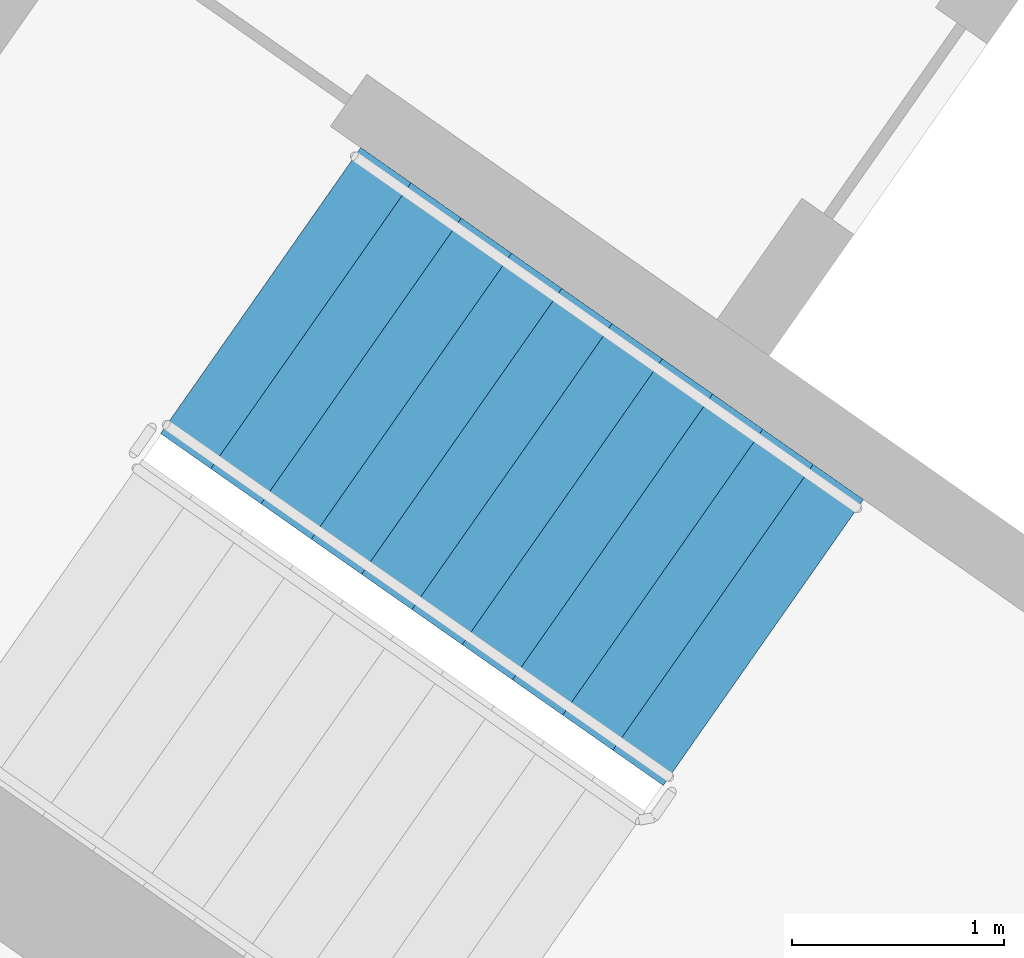
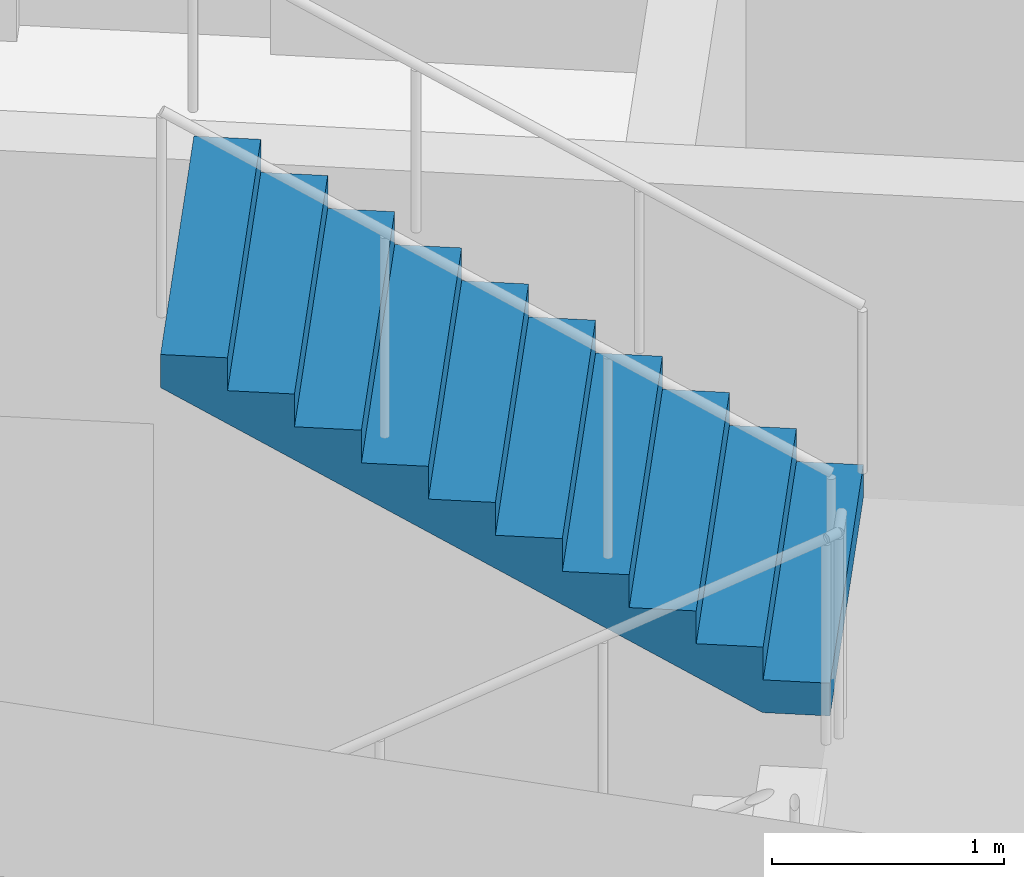
# One storey, part 12 of 26: 1 stair flight, 1 element without a shape of its own.
"""IFC4 building model written with IfcOpenShell, lengths in metres."""

from ifc_helpers import new_model, si_unit, direction, frame, origin, place, context, subcontext, project, spatial, faceted_brep, material, type_object, element, aggregate, save


model = new_model("IFC4")

# Units and contexts
model_context = context("Model", 3, precision=1e-05, world=origin(), true_north=direction((0.0, 1.0)))
body_context = subcontext(model_context, "Body", "Model", "MODEL_VIEW")
ifc_project = project(units=[si_unit("LENGTHUNIT", "METRE"), si_unit("AREAUNIT", "SQUARE_METRE"), si_unit("VOLUMEUNIT", "CUBIC_METRE"), si_unit("PLANEANGLEUNIT", "RADIAN"), si_unit("MASSUNIT", "GRAM", prefix="KILO")], contexts=[model_context])

# Site, building, storey
site_placement = place(None, origin())
site = spatial("IfcSite", under=ifc_project, at=site_placement, CompositionType="ELEMENT")
building_placement = place(site_placement, origin())
building = spatial("IfcBuilding", under=site, at=building_placement, Name="Qamariyya Broadcast Tower", CompositionType="ELEMENT")
storey_placement = place(building_placement, frame((0.0, 0.0, 183.5)))
storey = spatial("IfcBuildingStorey", under=building, at=storey_placement, Name="L43", CompositionType="ELEMENT", Elevation=183.5)

# Stair, stair flight
ifc_material = material(Name="Concrete C50/60", Category="concrete")
stair_type = type_object("IfcStairType", Name="Exit stair 22 risers of 173 mm", PredefinedType="HALF_TURN_STAIR", material=ifc_material)
stair_placement = place(storey_placement, origin())
stair = element("IfcStair", 1, at=stair_placement, inside=storey, type_object=stair_type, Name="L43 Stair W1", PredefinedType="HALF_TURN_STAIR")
stair_flight_type = type_object("IfcStairFlightType", Name="Exit stair flight 11 risers of 173 mm", PredefinedType="STRAIGHT", material=ifc_material)
stair_flight_placement = place(storey_placement, frame((-43.660888671875, -57.17138671875, 1.89990234375), z_axis=(0.0, 0.0, 1.0), x_axis=(-0.819152044289, 0.573576436351, 0.0)))
stair_flight = element("IfcStairFlight", 2, at=stair_flight_placement, type_object=stair_flight_type, Name="ST-W1 flight 2", NumberOfRisers=11, NumberOfTreads=10, PredefinedType="STRAIGHT", RiserHeight=0.172727273, TreadLength=0.29, context=body_context, shape_type="Brep", body=[
    faceted_brep([(0.0, 0.824951171875, 0.0), (0.0, 0.824951171875, 0.172607421875), (0.2900390625, 0.824951171875, 0.172607421875), (0.2900390625, 0.824951171875, 0.345458984375), (0.580078125, 0.824951171875, 0.345458984375), (0.580078125, 0.824951171875, 0.51806640625), (0.8701171875, 0.824951171875, 0.51806640625), (0.8701171875, 0.824951171875, 0.69091796875), (1.159912109375, 0.824951171875, 0.69091796875), (1.159912109375, 0.824951171875, 0.863525390625), (1.449951171875, 0.824951171875, 0.863525390625), (1.449951171875, 0.824951171875, 1.036376953125), (1.739990234375, 0.824951171875, 1.036376953125), (1.739990234375, 0.824951171875, 1.208984375), (2.030029296875, 0.824951171875, 1.208984375), (2.030029296875, 0.824951171875, 1.3818359375), (2.320068359375, 0.824951171875, 1.3818359375), (2.320068359375, 0.824951171875, 1.554443359375), (2.610107421875, 0.824951171875, 1.554443359375), (2.610107421875, 0.824951171875, 1.727294921875), (2.89990234375, 0.824951171875, 1.727294921875), (2.89990234375, 0.824951171875, 1.552734375), (0.29296875, 0.824951171875, 0.0), (0.29296875, -0.824951171875, 0.0), (2.89990234375, -0.824951171875, 1.552734375), (2.89990234375, -0.824951171875, 1.727294921875), (2.610107421875, -0.824951171875, 1.727294921875), (2.610107421875, -0.824951171875, 1.554443359375), (2.320068359375, -0.824951171875, 1.554443359375), (2.320068359375, -0.824951171875, 1.3818359375), (2.030029296875, -0.824951171875, 1.3818359375), (2.030029296875, -0.824951171875, 1.208984375), (1.739990234375, -0.824951171875, 1.208984375), (1.739990234375, -0.824951171875, 1.036376953125), (1.449951171875, -0.824951171875, 1.036376953125), (1.449951171875, -0.824951171875, 0.863525390625), (1.159912109375, -0.824951171875, 0.863525390625), (1.159912109375, -0.824951171875, 0.69091796875), (0.8701171875, -0.824951171875, 0.69091796875), (0.8701171875, -0.824951171875, 0.51806640625), (0.580078125, -0.824951171875, 0.51806640625), (0.580078125, -0.824951171875, 0.345458984375), (0.2900390625, -0.824951171875, 0.345458984375), (0.2900390625, -0.824951171875, 0.172607421875), (0.0, -0.824951171875, 0.172607421875), (0.0, -0.824951171875, 0.0), (0.0, 0.10009765625, 0.0), (0.0, 0.086669921875, 0.0), (0.0, 0.0732421875, 0.0), (0.0, 0.06005859375, 0.0), (0.0, 0.046630859375, 0.0), (0.0, 0.033447265625, 0.0), (0.0, 0.02001953125, 0.0), (0.0, 0.006591796875, 0.0), (0.0, -0.006591796875, 0.0), (0.0, -0.02001953125, 0.0), (0.0, -0.033447265625, 0.0), (0.0, -0.046630859375, 0.0), (0.0, -0.06005859375, 0.0), (0.0, -0.0732421875, 0.0), (0.0, -0.086669921875, 0.0), (0.0, -0.10009765625, 0.0), (0.0, -0.10009765625, 0.172607421875), (0.0, -0.086669921875, 0.172607421875), (0.0, -0.0732421875, 0.172607421875), (0.0, -0.06005859375, 0.172607421875), (0.0, -0.046630859375, 0.172607421875), (0.0, -0.033447265625, 0.172607421875), (0.0, -0.02001953125, 0.172607421875), (0.0, -0.006591796875, 0.172607421875), (0.0, 0.006591796875, 0.172607421875), (0.0, 0.02001953125, 0.172607421875), (0.0, 0.033447265625, 0.172607421875), (0.0, 0.046630859375, 0.172607421875), (0.0, 0.06005859375, 0.172607421875), (0.0, 0.0732421875, 0.172607421875), (0.0, 0.086669921875, 0.172607421875), (0.0, 0.10009765625, 0.172607421875), (0.2900390625, -0.10009765625, 0.172607421875), (0.2900390625, -0.086669921875, 0.172607421875), (0.2900390625, -0.0732421875, 0.172607421875), (0.2900390625, -0.06005859375, 0.172607421875), (0.2900390625, -0.046630859375, 0.172607421875), (0.2900390625, -0.033447265625, 0.172607421875), (0.2900390625, -0.02001953125, 0.172607421875), (0.2900390625, -0.006591796875, 0.172607421875), (0.2900390625, 0.006591796875, 0.172607421875), (0.2900390625, 0.02001953125, 0.172607421875), (0.2900390625, 0.033447265625, 0.172607421875), (0.2900390625, 0.046630859375, 0.172607421875), (0.2900390625, 0.06005859375, 0.172607421875), (0.2900390625, 0.0732421875, 0.172607421875), (0.2900390625, 0.086669921875, 0.172607421875), (0.2900390625, 0.10009765625, 0.172607421875), (0.2900390625, -0.10009765625, 0.345458984375), (0.2900390625, -0.086669921875, 0.345458984375), (0.2900390625, -0.0732421875, 0.345458984375), (0.2900390625, -0.06005859375, 0.345458984375), (0.2900390625, -0.046630859375, 0.345458984375), (0.2900390625, -0.033447265625, 0.345458984375), (0.2900390625, -0.02001953125, 0.345458984375), (0.2900390625, -0.006591796875, 0.345458984375), (0.2900390625, 0.006591796875, 0.345458984375), (0.2900390625, 0.02001953125, 0.345458984375), (0.2900390625, 0.033447265625, 0.345458984375), (0.2900390625, 0.046630859375, 0.345458984375), (0.2900390625, 0.06005859375, 0.345458984375), (0.2900390625, 0.0732421875, 0.345458984375), (0.2900390625, 0.086669921875, 0.345458984375), (0.2900390625, 0.10009765625, 0.345458984375), (0.580078125, -0.10009765625, 0.345458984375), (0.580078125, -0.086669921875, 0.345458984375), (0.580078125, -0.0732421875, 0.345458984375), (0.580078125, -0.06005859375, 0.345458984375), (0.580078125, -0.046630859375, 0.345458984375), (0.580078125, -0.033447265625, 0.345458984375), (0.580078125, -0.02001953125, 0.345458984375), (0.580078125, -0.006591796875, 0.345458984375), (0.580078125, 0.006591796875, 0.345458984375), (0.580078125, 0.02001953125, 0.345458984375), (0.580078125, 0.033447265625, 0.345458984375), (0.580078125, 0.046630859375, 0.345458984375), (0.580078125, 0.06005859375, 0.345458984375), (0.580078125, 0.0732421875, 0.345458984375), (0.580078125, 0.086669921875, 0.345458984375), (0.580078125, 0.10009765625, 0.345458984375), (0.580078125, -0.10009765625, 0.51806640625), (0.580078125, -0.086669921875, 0.51806640625), (0.580078125, -0.0732421875, 0.51806640625), (0.580078125, -0.06005859375, 0.51806640625), (0.580078125, -0.046630859375, 0.51806640625), (0.580078125, -0.033447265625, 0.51806640625), (0.580078125, -0.02001953125, 0.51806640625), (0.580078125, -0.006591796875, 0.51806640625), (0.580078125, 0.006591796875, 0.51806640625), (0.580078125, 0.02001953125, 0.51806640625), (0.580078125, 0.033447265625, 0.51806640625), (0.580078125, 0.046630859375, 0.51806640625), (0.580078125, 0.06005859375, 0.51806640625), (0.580078125, 0.0732421875, 0.51806640625), (0.580078125, 0.086669921875, 0.51806640625), (0.580078125, 0.10009765625, 0.51806640625), (0.8701171875, -0.10009765625, 0.51806640625), (0.8701171875, -0.086669921875, 0.51806640625), (0.8701171875, -0.0732421875, 0.51806640625), (0.8701171875, -0.06005859375, 0.51806640625), (0.8701171875, -0.046630859375, 0.51806640625), (0.8701171875, -0.033447265625, 0.51806640625), (0.8701171875, -0.02001953125, 0.51806640625), (0.8701171875, -0.006591796875, 0.51806640625), (0.8701171875, 0.006591796875, 0.51806640625), (0.8701171875, 0.02001953125, 0.51806640625), (0.8701171875, 0.033447265625, 0.51806640625), (0.8701171875, 0.046630859375, 0.51806640625), (0.8701171875, 0.06005859375, 0.51806640625), (0.8701171875, 0.0732421875, 0.51806640625), (0.8701171875, 0.086669921875, 0.51806640625), (0.8701171875, 0.10009765625, 0.51806640625), (0.8701171875, -0.10009765625, 0.69091796875), (0.8701171875, -0.086669921875, 0.69091796875), (0.8701171875, -0.0732421875, 0.69091796875), (0.8701171875, -0.06005859375, 0.69091796875), (0.8701171875, -0.046630859375, 0.69091796875), (0.8701171875, -0.033447265625, 0.69091796875), (0.8701171875, -0.02001953125, 0.69091796875), (0.8701171875, -0.006591796875, 0.69091796875), (0.8701171875, 0.006591796875, 0.69091796875), (0.8701171875, 0.02001953125, 0.69091796875), (0.8701171875, 0.033447265625, 0.69091796875), (0.8701171875, 0.046630859375, 0.69091796875), (0.8701171875, 0.06005859375, 0.69091796875), (0.8701171875, 0.0732421875, 0.69091796875), (0.8701171875, 0.086669921875, 0.69091796875), (0.8701171875, 0.10009765625, 0.69091796875), (1.159912109375, -0.10009765625, 0.69091796875), (1.159912109375, -0.086669921875, 0.69091796875), (1.159912109375, -0.0732421875, 0.69091796875), (1.159912109375, -0.06005859375, 0.69091796875), (1.159912109375, -0.046630859375, 0.69091796875), (1.159912109375, -0.033447265625, 0.69091796875), (1.159912109375, -0.02001953125, 0.69091796875), (1.159912109375, -0.006591796875, 0.69091796875), (1.159912109375, 0.006591796875, 0.69091796875), (1.159912109375, 0.02001953125, 0.69091796875), (1.159912109375, 0.033447265625, 0.69091796875), (1.159912109375, 0.046630859375, 0.69091796875), (1.159912109375, 0.06005859375, 0.69091796875), (1.159912109375, 0.0732421875, 0.69091796875), (1.159912109375, 0.086669921875, 0.69091796875), (1.159912109375, 0.10009765625, 0.69091796875), (1.159912109375, -0.10009765625, 0.863525390625), (1.159912109375, -0.086669921875, 0.863525390625), (1.159912109375, -0.0732421875, 0.863525390625), (1.159912109375, -0.06005859375, 0.863525390625), (1.159912109375, -0.046630859375, 0.863525390625), (1.159912109375, -0.033447265625, 0.863525390625), (1.159912109375, -0.02001953125, 0.863525390625), (1.159912109375, -0.006591796875, 0.863525390625), (1.159912109375, 0.006591796875, 0.863525390625), (1.159912109375, 0.02001953125, 0.863525390625), (1.159912109375, 0.033447265625, 0.863525390625), (1.159912109375, 0.046630859375, 0.863525390625), (1.159912109375, 0.06005859375, 0.863525390625), (1.159912109375, 0.0732421875, 0.863525390625), (1.159912109375, 0.086669921875, 0.863525390625), (1.159912109375, 0.10009765625, 0.863525390625), (1.449951171875, -0.10009765625, 0.863525390625), (1.449951171875, -0.086669921875, 0.863525390625), (1.449951171875, -0.0732421875, 0.863525390625), (1.449951171875, -0.06005859375, 0.863525390625), (1.449951171875, -0.046630859375, 0.863525390625), (1.449951171875, -0.033447265625, 0.863525390625), (1.449951171875, -0.02001953125, 0.863525390625), (1.449951171875, -0.006591796875, 0.863525390625), (1.449951171875, 0.006591796875, 0.863525390625), (1.449951171875, 0.02001953125, 0.863525390625), (1.449951171875, 0.033447265625, 0.863525390625), (1.449951171875, 0.046630859375, 0.863525390625), (1.449951171875, 0.06005859375, 0.863525390625), (1.449951171875, 0.0732421875, 0.863525390625), (1.449951171875, 0.086669921875, 0.863525390625), (1.449951171875, 0.10009765625, 0.863525390625), (1.449951171875, -0.10009765625, 1.036376953125), (1.449951171875, -0.086669921875, 1.036376953125), (1.449951171875, -0.0732421875, 1.036376953125), (1.449951171875, -0.06005859375, 1.036376953125), (1.449951171875, -0.046630859375, 1.036376953125), (1.449951171875, -0.033447265625, 1.036376953125), (1.449951171875, -0.02001953125, 1.036376953125), (1.449951171875, -0.006591796875, 1.036376953125), (1.449951171875, 0.006591796875, 1.036376953125), (1.449951171875, 0.02001953125, 1.036376953125), (1.449951171875, 0.033447265625, 1.036376953125), (1.449951171875, 0.046630859375, 1.036376953125), (1.449951171875, 0.06005859375, 1.036376953125), (1.449951171875, 0.0732421875, 1.036376953125), (1.449951171875, 0.086669921875, 1.036376953125), (1.449951171875, 0.10009765625, 1.036376953125), (1.739990234375, -0.10009765625, 1.036376953125), (1.739990234375, -0.086669921875, 1.036376953125), (1.739990234375, -0.0732421875, 1.036376953125), (1.739990234375, -0.06005859375, 1.036376953125), (1.739990234375, -0.046630859375, 1.036376953125), (1.739990234375, -0.033447265625, 1.036376953125), (1.739990234375, -0.02001953125, 1.036376953125), (1.739990234375, -0.006591796875, 1.036376953125), (1.739990234375, 0.006591796875, 1.036376953125), (1.739990234375, 0.02001953125, 1.036376953125), (1.739990234375, 0.033447265625, 1.036376953125), (1.739990234375, 0.046630859375, 1.036376953125), (1.739990234375, 0.06005859375, 1.036376953125), (1.739990234375, 0.0732421875, 1.036376953125), (1.739990234375, 0.086669921875, 1.036376953125), (1.739990234375, 0.10009765625, 1.036376953125), (1.739990234375, -0.10009765625, 1.208984375), (1.739990234375, -0.086669921875, 1.208984375), (1.739990234375, -0.0732421875, 1.208984375), (1.739990234375, -0.06005859375, 1.208984375), (1.739990234375, -0.046630859375, 1.208984375), (1.739990234375, -0.033447265625, 1.208984375), (1.739990234375, -0.02001953125, 1.208984375), (1.739990234375, -0.006591796875, 1.208984375), (1.739990234375, 0.006591796875, 1.208984375), (1.739990234375, 0.02001953125, 1.208984375), (1.739990234375, 0.033447265625, 1.208984375), (1.739990234375, 0.046630859375, 1.208984375), (1.739990234375, 0.06005859375, 1.208984375), (1.739990234375, 0.0732421875, 1.208984375), (1.739990234375, 0.086669921875, 1.208984375), (1.739990234375, 0.10009765625, 1.208984375), (2.030029296875, -0.10009765625, 1.208984375), (2.030029296875, -0.086669921875, 1.208984375), (2.030029296875, -0.0732421875, 1.208984375), (2.030029296875, -0.06005859375, 1.208984375), (2.030029296875, -0.046630859375, 1.208984375), (2.030029296875, -0.033447265625, 1.208984375), (2.030029296875, -0.02001953125, 1.208984375), (2.030029296875, -0.006591796875, 1.208984375), (2.030029296875, 0.006591796875, 1.208984375), (2.030029296875, 0.02001953125, 1.208984375), (2.030029296875, 0.033447265625, 1.208984375), (2.030029296875, 0.046630859375, 1.208984375), (2.030029296875, 0.06005859375, 1.208984375), (2.030029296875, 0.0732421875, 1.208984375), (2.030029296875, 0.086669921875, 1.208984375), (2.030029296875, 0.10009765625, 1.208984375), (2.030029296875, -0.10009765625, 1.3818359375), (2.030029296875, -0.086669921875, 1.3818359375), (2.030029296875, -0.0732421875, 1.3818359375), (2.030029296875, -0.06005859375, 1.3818359375), (2.030029296875, -0.046630859375, 1.3818359375), (2.030029296875, -0.033447265625, 1.3818359375), (2.030029296875, -0.02001953125, 1.3818359375), (2.030029296875, -0.006591796875, 1.3818359375), (2.030029296875, 0.006591796875, 1.3818359375), (2.030029296875, 0.02001953125, 1.3818359375), (2.030029296875, 0.033447265625, 1.3818359375), (2.030029296875, 0.046630859375, 1.3818359375), (2.030029296875, 0.06005859375, 1.3818359375), (2.030029296875, 0.0732421875, 1.3818359375), (2.030029296875, 0.086669921875, 1.3818359375), (2.030029296875, 0.10009765625, 1.3818359375), (2.320068359375, -0.10009765625, 1.3818359375), (2.320068359375, -0.086669921875, 1.3818359375), (2.320068359375, -0.0732421875, 1.3818359375), (2.320068359375, -0.06005859375, 1.3818359375), (2.320068359375, -0.046630859375, 1.3818359375), (2.320068359375, -0.033447265625, 1.3818359375), (2.320068359375, -0.02001953125, 1.3818359375), (2.320068359375, -0.006591796875, 1.3818359375), (2.320068359375, 0.006591796875, 1.3818359375), (2.320068359375, 0.02001953125, 1.3818359375), (2.320068359375, 0.033447265625, 1.3818359375), (2.320068359375, 0.046630859375, 1.3818359375), (2.320068359375, 0.06005859375, 1.3818359375), (2.320068359375, 0.0732421875, 1.3818359375), (2.320068359375, 0.086669921875, 1.3818359375), (2.320068359375, 0.10009765625, 1.3818359375), (2.320068359375, -0.10009765625, 1.554443359375), (2.320068359375, -0.086669921875, 1.554443359375), (2.320068359375, -0.0732421875, 1.554443359375), (2.320068359375, -0.06005859375, 1.554443359375), (2.320068359375, -0.046630859375, 1.554443359375), (2.320068359375, -0.033447265625, 1.554443359375), (2.320068359375, -0.02001953125, 1.554443359375), (2.320068359375, -0.006591796875, 1.554443359375), (2.320068359375, 0.006591796875, 1.554443359375), (2.320068359375, 0.02001953125, 1.554443359375), (2.320068359375, 0.033447265625, 1.554443359375), (2.320068359375, 0.046630859375, 1.554443359375), (2.320068359375, 0.06005859375, 1.554443359375), (2.320068359375, 0.0732421875, 1.554443359375), (2.320068359375, 0.086669921875, 1.554443359375), (2.320068359375, 0.10009765625, 1.554443359375), (2.610107421875, -0.10009765625, 1.554443359375), (2.610107421875, -0.086669921875, 1.554443359375), (2.610107421875, -0.0732421875, 1.554443359375), (2.610107421875, -0.06005859375, 1.554443359375), (2.610107421875, -0.046630859375, 1.554443359375), (2.610107421875, -0.033447265625, 1.554443359375), (2.610107421875, -0.02001953125, 1.554443359375), (2.610107421875, -0.006591796875, 1.554443359375), (2.610107421875, 0.006591796875, 1.554443359375), (2.610107421875, 0.02001953125, 1.554443359375), (2.610107421875, 0.033447265625, 1.554443359375), (2.610107421875, 0.046630859375, 1.554443359375), (2.610107421875, 0.06005859375, 1.554443359375), (2.610107421875, 0.0732421875, 1.554443359375), (2.610107421875, 0.086669921875, 1.554443359375), (2.610107421875, 0.10009765625, 1.554443359375), (2.610107421875, -0.10009765625, 1.727294921875), (2.610107421875, -0.086669921875, 1.727294921875), (2.610107421875, -0.0732421875, 1.727294921875), (2.610107421875, -0.06005859375, 1.727294921875), (2.610107421875, -0.046630859375, 1.727294921875), (2.610107421875, -0.033447265625, 1.727294921875), (2.610107421875, -0.02001953125, 1.727294921875), (2.610107421875, -0.006591796875, 1.727294921875), (2.610107421875, 0.006591796875, 1.727294921875), (2.610107421875, 0.02001953125, 1.727294921875), (2.610107421875, 0.033447265625, 1.727294921875), (2.610107421875, 0.046630859375, 1.727294921875), (2.610107421875, 0.06005859375, 1.727294921875), (2.610107421875, 0.0732421875, 1.727294921875), (2.610107421875, 0.086669921875, 1.727294921875), (2.610107421875, 0.10009765625, 1.727294921875), (2.89990234375, -0.10009765625, 1.727294921875), (2.89990234375, -0.086669921875, 1.727294921875), (2.89990234375, -0.0732421875, 1.727294921875), (2.89990234375, -0.06005859375, 1.727294921875), (2.89990234375, -0.046630859375, 1.727294921875), (2.89990234375, -0.033447265625, 1.727294921875), (2.89990234375, -0.02001953125, 1.727294921875), (2.89990234375, -0.006591796875, 1.727294921875), (2.89990234375, 0.006591796875, 1.727294921875), (2.89990234375, 0.02001953125, 1.727294921875), (2.89990234375, 0.033447265625, 1.727294921875), (2.89990234375, 0.046630859375, 1.727294921875), (2.89990234375, 0.06005859375, 1.727294921875), (2.89990234375, 0.0732421875, 1.727294921875), (2.89990234375, 0.086669921875, 1.727294921875), (2.89990234375, 0.10009765625, 1.727294921875), (2.89990234375, -0.10009765625, 1.552734375), (2.89990234375, -0.086669921875, 1.552734375), (2.89990234375, -0.0732421875, 1.552734375), (2.89990234375, -0.06005859375, 1.552734375), (2.89990234375, -0.046630859375, 1.552734375), (2.89990234375, -0.033447265625, 1.552734375), (2.89990234375, -0.02001953125, 1.552734375), (2.89990234375, -0.006591796875, 1.552734375), (2.89990234375, 0.006591796875, 1.552734375), (2.89990234375, 0.02001953125, 1.552734375), (2.89990234375, 0.033447265625, 1.552734375), (2.89990234375, 0.046630859375, 1.552734375), (2.89990234375, 0.06005859375, 1.552734375), (2.89990234375, 0.0732421875, 1.552734375), (2.89990234375, 0.086669921875, 1.552734375), (2.89990234375, 0.10009765625, 1.552734375), (0.29296875, -0.10009765625, 0.0), (0.29296875, -0.086669921875, 0.0), (0.29296875, -0.0732421875, 0.0), (0.29296875, -0.06005859375, 0.0), (0.29296875, -0.046630859375, 0.0), (0.29296875, -0.033447265625, 0.0), (0.29296875, -0.02001953125, 0.0), (0.29296875, -0.006591796875, 0.0), (0.29296875, 0.006591796875, 0.0), (0.29296875, 0.02001953125, 0.0), (0.29296875, 0.033447265625, 0.0), (0.29296875, 0.046630859375, 0.0), (0.29296875, 0.06005859375, 0.0), (0.29296875, 0.0732421875, 0.0), (0.29296875, 0.086669921875, 0.0), (0.29296875, 0.10009765625, 0.0)], [[[0, 1, 2, 3, 4, 5, 6, 7, 8, 9, 10, 11, 12, 13, 14, 15, 16, 17, 18, 19, 20, 21, 22]], [[23, 24, 25, 26, 27, 28, 29, 30, 31, 32, 33, 34, 35, 36, 37, 38, 39, 40, 41, 42, 43, 44, 45]], [[0, 46, 47, 48, 49, 50, 51, 52, 53, 54, 55, 56, 57, 58, 59, 60, 61, 45, 44, 62, 63, 64, 65, 66, 67, 68, 69, 70, 71, 72, 73, 74, 75, 76, 77, 1]], [[1, 77, 76, 75, 74, 73, 72, 71, 70, 69, 68, 67, 66, 65, 64, 63, 62, 44, 43, 78, 79, 80, 81, 82, 83, 84, 85, 86, 87, 88, 89, 90, 91, 92, 93, 2]], [[2, 93, 92, 91, 90, 89, 88, 87, 86, 85, 84, 83, 82, 81, 80, 79, 78, 43, 42, 94, 95, 96, 97, 98, 99, 100, 101, 102, 103, 104, 105, 106, 107, 108, 109, 3]], [[3, 109, 108, 107, 106, 105, 104, 103, 102, 101, 100, 99, 98, 97, 96, 95, 94, 42, 41, 110, 111, 112, 113, 114, 115, 116, 117, 118, 119, 120, 121, 122, 123, 124, 125, 4]], [[4, 125, 124, 123, 122, 121, 120, 119, 118, 117, 116, 115, 114, 113, 112, 111, 110, 41, 40, 126, 127, 128, 129, 130, 131, 132, 133, 134, 135, 136, 137, 138, 139, 140, 141, 5]], [[5, 141, 140, 139, 138, 137, 136, 135, 134, 133, 132, 131, 130, 129, 128, 127, 126, 40, 39, 142, 143, 144, 145, 146, 147, 148, 149, 150, 151, 152, 153, 154, 155, 156, 157, 6]], [[6, 157, 156, 155, 154, 153, 152, 151, 150, 149, 148, 147, 146, 145, 144, 143, 142, 39, 38, 158, 159, 160, 161, 162, 163, 164, 165, 166, 167, 168, 169, 170, 171, 172, 173, 7]], [[7, 173, 172, 171, 170, 169, 168, 167, 166, 165, 164, 163, 162, 161, 160, 159, 158, 38, 37, 174, 175, 176, 177, 178, 179, 180, 181, 182, 183, 184, 185, 186, 187, 188, 189, 8]], [[8, 189, 188, 187, 186, 185, 184, 183, 182, 181, 180, 179, 178, 177, 176, 175, 174, 37, 36, 190, 191, 192, 193, 194, 195, 196, 197, 198, 199, 200, 201, 202, 203, 204, 205, 9]], [[9, 205, 204, 203, 202, 201, 200, 199, 198, 197, 196, 195, 194, 193, 192, 191, 190, 36, 35, 206, 207, 208, 209, 210, 211, 212, 213, 214, 215, 216, 217, 218, 219, 220, 221, 10]], [[10, 221, 220, 219, 218, 217, 216, 215, 214, 213, 212, 211, 210, 209, 208, 207, 206, 35, 34, 222, 223, 224, 225, 226, 227, 228, 229, 230, 231, 232, 233, 234, 235, 236, 237, 11]], [[11, 237, 236, 235, 234, 233, 232, 231, 230, 229, 228, 227, 226, 225, 224, 223, 222, 34, 33, 238, 239, 240, 241, 242, 243, 244, 245, 246, 247, 248, 249, 250, 251, 252, 253, 12]], [[12, 253, 252, 251, 250, 249, 248, 247, 246, 245, 244, 243, 242, 241, 240, 239, 238, 33, 32, 254, 255, 256, 257, 258, 259, 260, 261, 262, 263, 264, 265, 266, 267, 268, 269, 13]], [[13, 269, 268, 267, 266, 265, 264, 263, 262, 261, 260, 259, 258, 257, 256, 255, 254, 32, 31, 270, 271, 272, 273, 274, 275, 276, 277, 278, 279, 280, 281, 282, 283, 284, 285, 14]], [[14, 285, 284, 283, 282, 281, 280, 279, 278, 277, 276, 275, 274, 273, 272, 271, 270, 31, 30, 286, 287, 288, 289, 290, 291, 292, 293, 294, 295, 296, 297, 298, 299, 300, 301, 15]], [[15, 301, 300, 299, 298, 297, 296, 295, 294, 293, 292, 291, 290, 289, 288, 287, 286, 30, 29, 302, 303, 304, 305, 306, 307, 308, 309, 310, 311, 312, 313, 314, 315, 316, 317, 16]], [[16, 317, 316, 315, 314, 313, 312, 311, 310, 309, 308, 307, 306, 305, 304, 303, 302, 29, 28, 318, 319, 320, 321, 322, 323, 324, 325, 326, 327, 328, 329, 330, 331, 332, 333, 17]], [[17, 333, 332, 331, 330, 329, 328, 327, 326, 325, 324, 323, 322, 321, 320, 319, 318, 28, 27, 334, 335, 336, 337, 338, 339, 340, 341, 342, 343, 344, 345, 346, 347, 348, 349, 18]], [[18, 349, 348, 347, 346, 345, 344, 343, 342, 341, 340, 339, 338, 337, 336, 335, 334, 27, 26, 350, 351, 352, 353, 354, 355, 356, 357, 358, 359, 360, 361, 362, 363, 364, 365, 19]], [[19, 365, 364, 363, 362, 361, 360, 359, 358, 357, 356, 355, 354, 353, 352, 351, 350, 26, 25, 366, 367, 368, 369, 370, 371, 372, 373, 374, 375, 376, 377, 378, 379, 380, 381, 20]], [[20, 381, 380, 379, 378, 377, 376, 375, 374, 373, 372, 371, 370, 369, 368, 367, 366, 25, 24, 382, 383, 384, 385, 386, 387, 388, 389, 390, 391, 392, 393, 394, 395, 396, 397, 21]], [[21, 397, 396, 395, 394, 393, 392, 391, 390, 389, 388, 387, 386, 385, 384, 383, 382, 24, 23, 398, 399, 400, 401, 402, 403, 404, 405, 406, 407, 408, 409, 410, 411, 412, 413, 22]], [[22, 413, 412, 411, 410, 409, 408, 407, 406, 405, 404, 403, 402, 401, 400, 399, 398, 23, 45, 61, 60, 59, 58, 57, 56, 55, 54, 53, 52, 51, 50, 49, 48, 47, 46, 0]]]),
])
aggregate(stair, [stair_flight])

save(model, "model.ifc")
